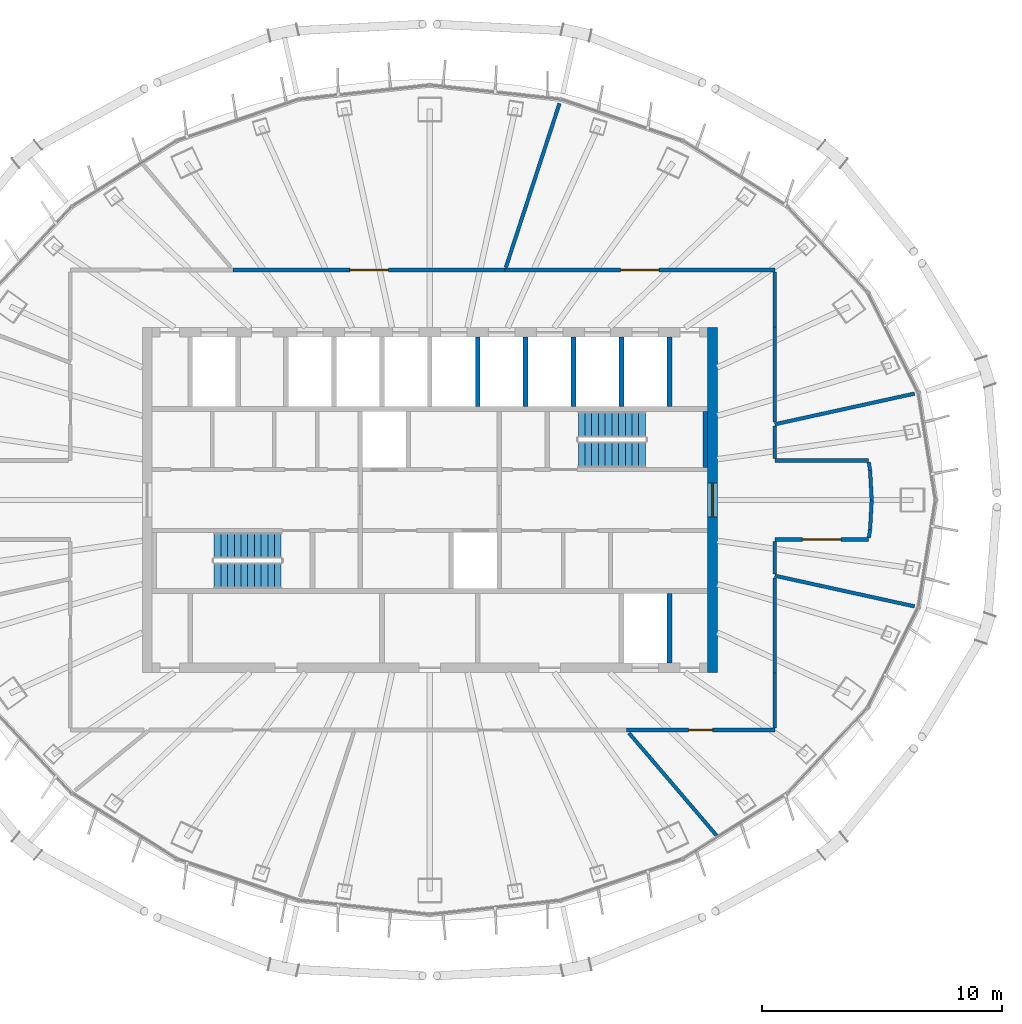
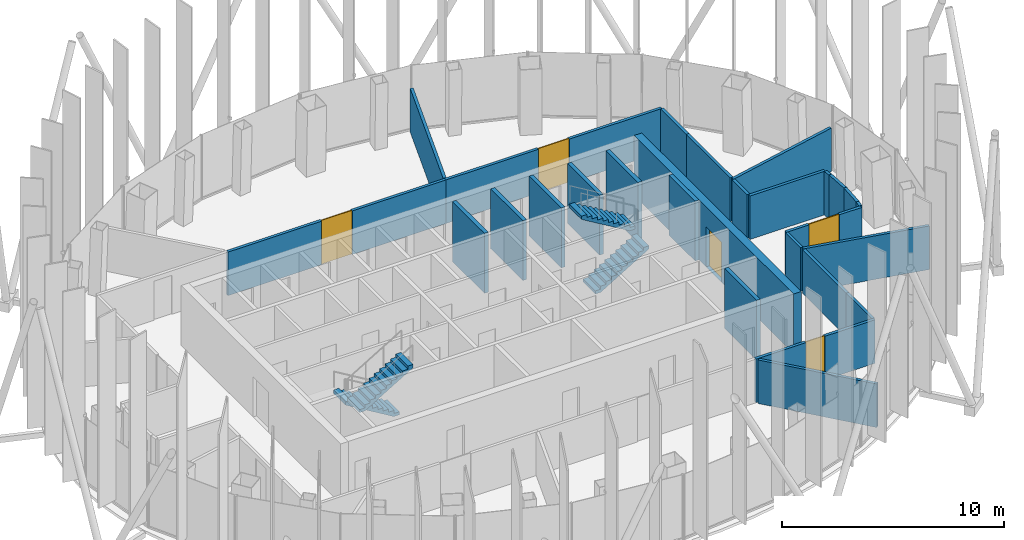
# One storey, part 11 of 19: 27 walls, 5 doors, 4 stair flights, 5 openings, 2 elements without a shape of their own.
"""IFC4 building model written with IfcOpenShell, lengths in metres."""

from ifc_helpers import new_model, si_unit, direction, frame, frame_2d, origin, place, context, subcontext, project, spatial, polyline, rectangle, outline, extrude, material, layer, layer_set, type_object, element, fill, aggregate, save


model = new_model("IFC4")

# Units and contexts
model_context = context("Model", 3, precision=1e-05, world=origin(), true_north=direction((0.0, 1.0)))
body_context = subcontext(model_context, "Body", "Model", "MODEL_VIEW")
ifc_project = project(units=[si_unit("LENGTHUNIT", "METRE"), si_unit("AREAUNIT", "SQUARE_METRE"), si_unit("VOLUMEUNIT", "CUBIC_METRE"), si_unit("PLANEANGLEUNIT", "RADIAN"), si_unit("MASSUNIT", "GRAM", prefix="KILO")], contexts=[model_context])

# Site, building, storey
site_placement = place(None, origin())
site = spatial("IfcSite", under=ifc_project, at=site_placement, CompositionType="ELEMENT")
building_placement = place(site_placement, origin())
building = spatial("IfcBuilding", under=site, at=building_placement, Name="Siaravel Broadcast Tower", CompositionType="ELEMENT")
storey_placement = place(building_placement, frame((0.0, 0.0, 239.300048828125)))
storey = spatial("IfcBuildingStorey", under=building, at=storey_placement, Name="L58", CompositionType="ELEMENT", Elevation=239.300048828125)

# Wall, opening, door
ifc_material_1 = material(Name="Concrete C60/75", Category="concrete")
ifc_layer_1 = layer(ifc_material_1, 0.39990234375)
ifc_layer_set_1 = layer_set([ifc_layer_1], Name="Concrete C60/75")
wall_type_1 = type_object("IfcWallType", Name="Core wall 400", PredefinedType="SHEAR", material=ifc_layer_set_1)
wall_1_placement = place(storey_placement, frame((11.800048828125, -7.199951171875, 0.0), z_axis=(0.0, 0.0, 1.0), x_axis=(0.0, 1.0, 0.0)))
wall_1 = element("IfcWall", 1, at=wall_1_placement, inside=storey, type_object=wall_type_1, Name="L58 core wall OE", PredefinedType="SHEAR", context=body_context, shape_type="SweptSolid", body=[
    extrude(rectangle(XDim=14.39990234375, YDim=0.39990234375, at=frame_2d((7.199951171875, 0.0))), origin(), (0.0, 0.0, 1.0), 3.300048828125),
])
opening_1_placement = place(wall_1_placement, frame((6.5, 0.0, 0.0)))
opening_1 = element("IfcOpeningElement", 2, at=opening_1_placement, cuts=wall_1, Name="Opening L58-DX-E", PredefinedType="OPENING", context=body_context, shape_type="SweptSolid", body=[
    extrude(rectangle(XDim=1.39990234375, YDim=2.199951171875, at=frame_2d((0.699951171875, 1.10009765625))), frame((0.0, 0.2099609375, 0.0), z_axis=(0.0, -1.0, 0.0), x_axis=(1.0, 0.0, 0.0)), (0.0, 0.0, 1.0), 0.419921875),
])
ifc_material_2 = material(Name="Steel", Category="steel")
door_type_1 = type_object("IfcDoorType", Name="Core exit door 1400", OperationType="DOUBLE_DOOR_SINGLE_SWING", PredefinedType="DOOR", material=ifc_material_2)
door_1_placement = place(opening_1_placement, origin())
door_1 = element("IfcDoor", 3, at=door_1_placement, inside=storey, type_object=door_type_1, Name="L58 door DX-E", OperationType="DOUBLE_DOOR_SINGLE_SWING", OverallHeight=2.199951171875, OverallWidth=1.39990234375, PredefinedType="DOOR", context=body_context, shape_type="SweptSolid", body=[
    extrude(rectangle(XDim=1.39990234375, YDim=2.199951171875, at=frame_2d((0.699951171875, 1.10009765625))), frame((0.0, 0.02490234375, 0.0), z_axis=(0.0, -1.0, 0.0), x_axis=(1.0, 0.0, 0.0)), (0.0, 0.0, 1.0), 0.050048828125),
])
fill(opening_1, door_1)

ifc_material_3 = material(Name="Gypsum board partition", Category="gypsum")
ifc_layer_2 = layer(ifc_material_3, 0.14990234375)
ifc_layer_set_2 = layer_set([ifc_layer_2], Name="Gypsum board partition")
wall_type_2 = type_object("IfcWallType", Name="Corridor wall 150", PredefinedType="PARTITIONING", material=ifc_layer_set_2)
wall_2_placement = place(storey_placement, frame((3.140380859375, 9.60009765625, 0.0), z_axis=(0.0, 0.0, 1.0), x_axis=(-1.0, 0.0, 0.0)))
wall_2 = element("IfcWall", 4, at=wall_2_placement, inside=storey, type_object=wall_type_2, Name="L58 partition 2", PredefinedType="PARTITIONING", context=body_context, shape_type="SweptSolid", body=[
    extrude(rectangle(XDim=11.346923828125, YDim=0.14990234375, at=frame_2d((5.67333984375, 0.0))), origin(), (0.0, 0.0, 1.0), 2.39990234375),
])
opening_2_placement = place(wall_2_placement, frame((4.873291015625, 0.0, 0.0)))
opening_2 = element("IfcOpeningElement", 5, at=opening_2_placement, cuts=wall_2, Name="Opening L58-008", PredefinedType="OPENING", context=body_context, shape_type="SweptSolid", body=[
    extrude(rectangle(XDim=1.60009765625, YDim=2.39990234375, at=frame_2d((0.800048828125, 1.199951171875))), frame((0.0, 0.0849609375, 0.0), z_axis=(0.0, -1.0, 0.0), x_axis=(1.0, 0.0, 0.0)), (0.0, 0.0, 1.0), 0.169921875),
])
ifc_material_4 = material(Name="Timber veneer", Category="wood")
door_type_2 = type_object("IfcDoorType", Name="Restaurant double door 1600", OperationType="DOUBLE_DOOR_SINGLE_SWING", PredefinedType="DOOR", material=ifc_material_4)
door_2_placement = place(opening_2_placement, origin())
door_2 = element("IfcDoor", 6, at=door_2_placement, inside=storey, type_object=door_type_2, Name="L58 door to Restaurant", OperationType="DOUBLE_DOOR_SINGLE_SWING", OverallHeight=2.39990234375, OverallWidth=1.60009765625, PredefinedType="DOOR", context=body_context, shape_type="SweptSolid", body=[
    extrude(rectangle(XDim=1.60009765625, YDim=2.39990234375, at=frame_2d((0.800048828125, 1.199951171875))), frame((0.0, 0.02490234375, 0.0), z_axis=(0.0, -1.0, 0.0), x_axis=(1.0, 0.0, 0.0)), (0.0, 0.0, 1.0), 0.050048828125),
])
fill(opening_2, door_2)

wall_3_placement = place(storey_placement, frame((14.39990234375, 9.60009765625, 0.0), z_axis=(0.0, 0.0, 1.0), x_axis=(-1.0, 0.0, 0.0)))
wall_3 = element("IfcWall", 7, at=wall_3_placement, inside=storey, type_object=wall_type_2, Name="L58 partition 3", PredefinedType="PARTITIONING", context=body_context, shape_type="SweptSolid", body=[
    extrude(rectangle(XDim=11.258544921875, YDim=0.14990234375, at=frame_2d((5.62939453125, 0.0))), origin(), (0.0, 0.0, 1.0), 2.39990234375),
])
opening_3_placement = place(wall_3_placement, frame((4.829345703125, 0.0, 0.0)))
opening_3 = element("IfcOpeningElement", 8, at=opening_3_placement, cuts=wall_3, Name="Opening L58-007", PredefinedType="OPENING", context=body_context, shape_type="SweptSolid", body=[
    extrude(rectangle(XDim=1.60009765625, YDim=2.39990234375, at=frame_2d((0.800048828125, 1.199951171875))), frame((0.0, 0.0849609375, 0.0), z_axis=(0.0, -1.0, 0.0), x_axis=(1.0, 0.0, 0.0)), (0.0, 0.0, 1.0), 0.169921875),
])
door_3_placement = place(opening_3_placement, origin())
door_3 = element("IfcDoor", 9, at=door_3_placement, inside=storey, type_object=door_type_2, Name="L58 door to Restaurant", OperationType="DOUBLE_DOOR_SINGLE_SWING", OverallHeight=2.39990234375, OverallWidth=1.60009765625, PredefinedType="DOOR", context=body_context, shape_type="SweptSolid", body=[
    extrude(rectangle(XDim=1.60009765625, YDim=2.39990234375, at=frame_2d((0.800048828125, 1.199951171875))), frame((0.0, 0.02490234375, 0.0), z_axis=(0.0, -1.0, 0.0), x_axis=(1.0, 0.0, 0.0)), (0.0, 0.0, 1.0), 0.050048828125),
])
fill(opening_3, door_3)

wall_4_placement = place(storey_placement, frame((8.20654296875, -9.60009765625, 0.0), z_axis=(0.0, 0.0, 1.0), x_axis=(1.0, 0.0, 0.0)))
wall_4 = element("IfcWall", 10, at=wall_4_placement, inside=storey, type_object=wall_type_2, Name="L58 partition 8", PredefinedType="PARTITIONING", context=body_context, shape_type="SweptSolid", body=[
    extrude(rectangle(XDim=6.193359375, YDim=0.14990234375, at=frame_2d((3.0966796875, 0.0))), origin(), (0.0, 0.0, 1.0), 2.39990234375),
])
opening_4_placement = place(wall_4_placement, frame((2.5966796875, 0.0, 0.0)))
opening_4 = element("IfcOpeningElement", 11, at=opening_4_placement, cuts=wall_4, Name="Opening L58-005", PredefinedType="OPENING", context=body_context, shape_type="SweptSolid", body=[
    extrude(rectangle(XDim=1.0, YDim=2.39990234375, at=frame_2d((0.5, 1.199951171875))), frame((0.0, 0.0849609375, 0.0), z_axis=(0.0, -1.0, 0.0), x_axis=(1.0, 0.0, 0.0)), (0.0, 0.0, 1.0), 0.169921875),
])
door_type_3 = type_object("IfcDoorType", Name="Executive office door 1000", OperationType="SINGLE_SWING_LEFT", PredefinedType="DOOR", material=ifc_material_4)
door_4_placement = place(opening_4_placement, origin())
door_4 = element("IfcDoor", 12, at=door_4_placement, inside=storey, type_object=door_type_3, Name="L58 door to Executive office", OperationType="SINGLE_SWING_LEFT", OverallHeight=2.39990234375, OverallWidth=1.0, PredefinedType="DOOR", context=body_context, shape_type="SweptSolid", body=[
    extrude(rectangle(XDim=1.0, YDim=2.39990234375, at=frame_2d((0.5, 1.199951171875))), frame((0.0, 0.02490234375, 0.0), z_axis=(0.0, -1.0, 0.0), x_axis=(1.0, 0.0, 0.0)), (0.0, 0.0, 1.0), 0.050048828125),
])
fill(opening_4, door_4)

# Walls
for number, where, z_axis, x_axis, name in (
    (13, (14.39990234375, -7.2119140625, 0.0), (0.0, 0.0, 1.0), (0.0, 1.0, 0.0), "L58 partition 16"),
    (14, (14.39990234375, 3.255859375, 0.0), (0.0, 0.0, 1.0), (0.0, 1.0, 0.0), "L58 partition 17"),
):
    element("IfcWall", number, at=place(storey_placement, frame(where, z_axis=z_axis, x_axis=x_axis)), inside=storey, type_object=wall_type_2, Name=name, PredefinedType="PARTITIONING", context=body_context, shape_type="SweptSolid", body=[
        extrude(rectangle(XDim=3.9560546875, YDim=0.14990234375, at=frame_2d((1.97802734375, 0.0))), origin(), (0.0, 0.0, 1.0), 2.39990234375),
    ])

# Wall, opening, door
wall_5_placement = place(storey_placement, frame((14.39990234375, -1.64990234375, 0.0), z_axis=(0.0, 0.0, 1.0), x_axis=(1.0, 0.0, 0.0)))
wall_5 = element("IfcWall", 15, at=wall_5_placement, inside=storey, type_object=wall_type_2, Name="L58 partition 20", PredefinedType="PARTITIONING", context=body_context, shape_type="SweptSolid", body=[
    extrude(rectangle(XDim=3.910888671875, YDim=0.14990234375, at=frame_2d((1.95556640625, 0.0))), origin(), (0.0, 0.0, 1.0), 2.39990234375),
])
opening_5_placement = place(wall_5_placement, frame((1.155517578125, 0.0, 0.0)))
opening_5 = element("IfcOpeningElement", 16, at=opening_5_placement, cuts=wall_5, Name="Opening L58-006", PredefinedType="OPENING", context=body_context, shape_type="SweptSolid", body=[
    extrude(rectangle(XDim=1.60009765625, YDim=2.39990234375, at=frame_2d((0.800048828125, 1.199951171875))), frame((0.0, 0.0849609375, 0.0), z_axis=(0.0, -1.0, 0.0), x_axis=(1.0, 0.0, 0.0)), (0.0, 0.0, 1.0), 0.169921875),
])
door_5_placement = place(opening_5_placement, origin())
door_5 = element("IfcDoor", 17, at=door_5_placement, inside=storey, type_object=door_type_2, Name="L58 door to Lounge", OperationType="DOUBLE_DOOR_SINGLE_SWING", OverallHeight=2.39990234375, OverallWidth=1.60009765625, PredefinedType="DOOR", context=body_context, shape_type="SweptSolid", body=[
    extrude(rectangle(XDim=1.60009765625, YDim=2.39990234375, at=frame_2d((0.800048828125, 1.199951171875))), frame((0.0, 0.02490234375, 0.0), z_axis=(0.0, -1.0, 0.0), x_axis=(1.0, 0.0, 0.0)), (0.0, 0.0, 1.0), 0.050048828125),
])
fill(opening_5, door_5)

# Walls
wall_6_placement = place(storey_placement, frame((18.310791015625, 1.64990234375, 0.0), z_axis=(0.0, 0.0, 1.0), x_axis=(-1.0, 0.0, 0.0)))
element("IfcWall", 18, at=wall_6_placement, inside=storey, type_object=wall_type_2, Name="L58 partition 21", PredefinedType="PARTITIONING", context=body_context, shape_type="SweptSolid", body=[
    extrude(rectangle(XDim=3.910888671875, YDim=0.14990234375, at=frame_2d((1.95556640625, 0.0))), origin(), (0.0, 0.0, 1.0), 2.39990234375),
])
for number, where, z_axis, x_axis, name in (
    (19, (14.39990234375, -9.52294921875, 0.0), (0.0, 0.0, 1.0), (0.0, 1.0, 0.0), "L58 partition 27"),
    (20, (14.39990234375, 7.212890625, 0.0), (0.0, 0.0, 1.0), (0.0, 1.0, 0.0), "L58 partition 28"),
):
    element("IfcWall", number, at=place(storey_placement, frame(where, z_axis=z_axis, x_axis=x_axis)), inside=storey, type_object=wall_type_2, Name=name, PredefinedType="PARTITIONING", context=body_context, shape_type="SweptSolid", body=[
        extrude(rectangle(XDim=2.31005859375, YDim=0.14990234375, at=frame_2d((1.155029296875, 0.0))), origin(), (0.0, 0.0, 1.0), 2.39990234375),
    ])
for number, where, z_axis, x_axis, name in (
    (21, (14.39990234375, -3.085205078125, 0.0), (0.0, 0.0, 1.0), (0.0, 1.0, 0.0), "L58 partition 30"),
    (22, (14.39990234375, 1.72705078125, 0.0), (0.0, 0.0, 1.0), (0.0, 1.0, 0.0), "L58 partition 31"),
):
    element("IfcWall", number, at=place(storey_placement, frame(where, z_axis=z_axis, x_axis=x_axis)), inside=storey, type_object=wall_type_2, Name=name, PredefinedType="PARTITIONING", context=body_context, shape_type="SweptSolid", body=[
        extrude(rectangle(XDim=1.358154296875, YDim=0.14990234375, at=frame_2d((0.67919921875, 0.0))), origin(), (0.0, 0.0, 1.0), 2.39990234375),
    ])
wall_7_placement = place(storey_placement, frame((18.37890625, -1.2255859375, 0.0), z_axis=(0.0, 0.0, 1.0), x_axis=(0.053310538, 0.998577982, 0.0)))
element("IfcWall", 23, at=wall_7_placement, inside=storey, type_object=wall_type_2, Name="L58 partition 35", PredefinedType="PARTITIONING", context=body_context, shape_type="SweptSolid", body=[
    extrude(rectangle(XDim=1.227294921875, YDim=0.14990234375, at=frame_2d((0.61376953125, 0.0))), origin(), (0.0, 0.0, 1.0), 2.39990234375),
])
wall_8_placement = place(storey_placement, frame((18.443603515625, 0.010009765625, 0.0), z_axis=(0.0, 0.0, 1.0), x_axis=(-0.053148314, 0.99858663, 0.0)))
element("IfcWall", 24, at=wall_8_placement, inside=storey, type_object=wall_type_2, Name="L58 partition 36", PredefinedType="PARTITIONING", context=body_context, shape_type="SweptSolid", body=[
    extrude(rectangle(XDim=1.21728515625, YDim=0.14990234375, at=frame_2d((0.608642578125, 0.0))), origin(), (0.0, 0.0, 1.0), 2.39990234375),
])
for number, where, z_axis, x_axis, name in (
    (25, (18.32275390625, -1.574951171875, 0.0), (0.0, 0.0, 1.0), (0.158406053, 0.987374054, 0.0), "L58 partition 39"),
    (26, (18.377197265625, 1.235595703125, 0.0), (0.0, 0.0, 1.0), (-0.158406053, 0.987374054, 0.0), "L58 partition 40"),
):
    element("IfcWall", number, at=place(storey_placement, frame(where, z_axis=z_axis, x_axis=x_axis)), inside=storey, type_object=wall_type_2, Name=name, PredefinedType="PARTITIONING", context=body_context, shape_type="SweptSolid", body=[
        extrude(rectangle(XDim=0.34375, YDim=0.14990234375, at=frame_2d((0.171875, 0.0))), origin(), (0.0, 0.0, 1.0), 2.39990234375),
    ])
ifc_layer_3 = layer(ifc_material_3, 0.14990234375)
ifc_layer_set_3 = layer_set([ifc_layer_3], Name="Gypsum board partition")
wall_type_3 = type_object("IfcWallType", Name="Room partition 150", PredefinedType="PARTITIONING", material=ifc_layer_set_3)
wall_9_placement = place(storey_placement, frame((5.4150390625, 16.553955078125, 0.0), z_axis=(0.0, 0.0, 1.0), x_axis=(-0.31090061, -0.950442429, 0.0)))
element("IfcWall", 27, at=wall_9_placement, inside=storey, type_object=wall_type_3, Name="L58 partition 6", PredefinedType="PARTITIONING", context=body_context, shape_type="SweptSolid", body=[
    extrude(rectangle(XDim=7.211181640625, YDim=0.14990234375, at=frame_2d((3.60546875, 0.0))), origin(), (0.0, 0.0, 1.0), 2.39990234375),
])
wall_10_placement = place(storey_placement, frame((20.23291015625, -4.440673828125, 0.0), z_axis=(0.0, 0.0, 1.0), x_axis=(-0.976749355, 0.214384464, 0.0)))
element("IfcWall", 28, at=wall_10_placement, inside=storey, type_object=wall_type_3, Name="L58 partition 9", PredefinedType="PARTITIONING", context=body_context, shape_type="SweptSolid", body=[
    extrude(rectangle(XDim=5.971923828125, YDim=0.14990234375, at=frame_2d((2.98583984375, 0.0))), origin(), (0.0, 0.0, 1.0), 2.39990234375),
])
wall_11_placement = place(storey_placement, frame((20.2314453125, 4.4404296875, 0.0), z_axis=(0.0, 0.0, 1.0), x_axis=(-0.976746641, -0.214396828, 0.0)))
element("IfcWall", 29, at=wall_11_placement, inside=storey, type_object=wall_type_3, Name="L58 partition 10", PredefinedType="PARTITIONING", context=body_context, shape_type="SweptSolid", body=[
    extrude(rectangle(XDim=5.970458984375, YDim=0.14990234375, at=frame_2d((2.9853515625, 0.0))), origin(), (0.0, 0.0, 1.0), 2.39990234375),
])
wall_12_placement = place(storey_placement, frame((12.005126953125, -14.0439453125, 0.0), z_axis=(0.0, 0.0, 1.0), x_axis=(-0.649775142, 0.760126479, 0.0)))
element("IfcWall", 30, at=wall_12_placement, inside=storey, type_object=wall_type_3, Name="L58 partition 12", PredefinedType="PARTITIONING", context=body_context, shape_type="SweptSolid", body=[
    extrude(rectangle(XDim=5.681396484375, YDim=0.14990234375, at=frame_2d((2.8408203125, 0.0))), origin(), (0.0, 0.0, 1.0), 2.39990234375),
])
ifc_layer_4 = layer(ifc_material_1, 0.199951171875)
ifc_layer_set_4 = layer_set([ifc_layer_4], Name="Concrete C60/75")
wall_type_4 = type_object("IfcWallType", Name="Shaft wall 200", PredefinedType="SHEAR", material=ifc_layer_set_4)
for number, where, z_axis, x_axis, name in (
    (31, (10.0, -6.800048828125, 0.0), (0.0, 0.0, 1.0), (0.0, 1.0, 0.0), "L58 core wall SWS10"),
    (32, (2.0, 3.89990234375, 0.0), (0.0, 0.0, 1.0), (0.0, 1.0, 0.0), "L58 core wall SWN6"),
    (33, (4.0, 3.89990234375, 0.0), (0.0, 0.0, 1.0), (0.0, 1.0, 0.0), "L58 core wall SWN7"),
    (34, (6.0, 3.89990234375, 0.0), (0.0, 0.0, 1.0), (0.0, 1.0, 0.0), "L58 core wall SWN8"),
    (35, (8.0, 3.89990234375, 0.0), (0.0, 0.0, 1.0), (0.0, 1.0, 0.0), "L58 core wall SWN9"),
    (36, (10.0, 3.89990234375, 0.0), (0.0, 0.0, 1.0), (0.0, 1.0, 0.0), "L58 core wall SWN10"),
):
    element("IfcWall", number, at=place(storey_placement, frame(where, z_axis=z_axis, x_axis=x_axis)), inside=storey, type_object=wall_type_4, Name=name, PredefinedType="SHEAR", context=body_context, shape_type="SweptSolid", body=[
        extrude(rectangle(XDim=2.900146484375, YDim=0.199951171875, at=frame_2d((1.4501953125, 0.0))), origin(), (0.0, 0.0, 1.0), 3.300048828125),
    ])
wall_13_placement = place(storey_placement, frame((11.5, 1.35009765625, 0.0), z_axis=(0.0, 0.0, 1.0), x_axis=(0.0, 1.0, 0.0)))
element("IfcWall", 37, at=wall_13_placement, inside=storey, type_object=wall_type_4, Name="L58 core wall ST2E", PredefinedType="SHEAR", context=body_context, shape_type="SweptSolid", body=[
    extrude(rectangle(XDim=2.349853515625, YDim=0.199951171875, at=frame_2d((1.1748046875, 0.0))), origin(), (0.0, 0.0, 1.0), 3.300048828125),
])

# Stair, stair flights
ifc_material_5 = material(Name="Concrete C40/50", Category="concrete")
stair_type = type_object("IfcStairType", Name="Core exit stair", PredefinedType="HALF_TURN_STAIR", material=ifc_material_5)
stair_1_placement = place(storey_placement, origin())
stair_1 = element("IfcStair", 38, at=stair_1_placement, inside=storey, type_object=stair_type, Name="L58 Exit stair ST-1", PredefinedType="HALF_TURN_STAIR")
stair_flight_type = type_object("IfcStairFlightType", Name="Stair flight 1100", PredefinedType="STRAIGHT", material=ifc_material_5)
stair_flight_1_placement = place(storey_placement, frame((-6.199951171875, -1.89990234375, 0.0), z_axis=(0.0, 0.0, 1.0), x_axis=(-1.0, 0.0, 0.0)))
stair_flight_1 = element("IfcStairFlight", 39, at=stair_flight_1_placement, type_object=stair_flight_type, Name="ST-1 flight 1", NumberOfRisers=11, NumberOfTreads=10, PredefinedType="STRAIGHT", RiserHeight=0.1681818, TreadLength=0.28, context=body_context, shape_type="SweptSolid", body=[
    extrude(outline(polyline([(0.0, 0.0), (0.0, 0.168212890625), (0.280029296875, 0.168212890625), (0.280029296875, 0.33642578125), (0.56005859375, 0.33642578125), (0.56005859375, 0.504638671875), (0.840087890625, 0.504638671875), (0.840087890625, 0.672607421875), (1.1201171875, 0.672607421875), (1.1201171875, 0.8408203125), (1.39990234375, 0.8408203125), (1.39990234375, 1.009033203125), (1.679931640625, 1.009033203125), (1.679931640625, 1.17724609375), (1.9599609375, 1.17724609375), (1.9599609375, 1.345458984375), (2.239990234375, 1.345458984375), (2.239990234375, 1.513671875), (2.52001953125, 1.513671875), (2.52001953125, 1.681884765625), (2.800048828125, 1.681884765625), (2.800048828125, 1.85009765625), (2.800048828125, 1.5068359375), (0.291015625, 0.0), (0.0, 0.0)])), frame((0.0, 0.550048828125, 0.0), z_axis=(0.0, -1.0, 0.0), x_axis=(1.0, 0.0, 0.0)), (0.0, 0.0, 1.0), 1.10009765625),
])
stair_flight_2_placement = place(storey_placement, frame((-9.0, -3.14990234375, 1.849853515625), z_axis=(0.0, 0.0, 1.0), x_axis=(1.0, 0.0, 0.0)))
stair_flight_2 = element("IfcStairFlight", 40, at=stair_flight_2_placement, type_object=stair_flight_type, Name="ST-1 flight 2", NumberOfRisers=11, NumberOfTreads=10, PredefinedType="STRAIGHT", RiserHeight=0.1681818, TreadLength=0.28, context=body_context, shape_type="SweptSolid", body=[
    extrude(outline(polyline([(0.0, 0.0), (0.0, 0.168212890625), (0.280029296875, 0.168212890625), (0.280029296875, 0.33642578125), (0.56005859375, 0.33642578125), (0.56005859375, 0.504638671875), (0.840087890625, 0.504638671875), (0.840087890625, 0.672607421875), (1.1201171875, 0.672607421875), (1.1201171875, 0.8408203125), (1.39990234375, 0.8408203125), (1.39990234375, 1.009033203125), (1.679931640625, 1.009033203125), (1.679931640625, 1.17724609375), (1.9599609375, 1.17724609375), (1.9599609375, 1.345458984375), (2.239990234375, 1.345458984375), (2.239990234375, 1.513671875), (2.52001953125, 1.513671875), (2.52001953125, 1.681884765625), (2.800048828125, 1.681884765625), (2.800048828125, 1.85009765625), (2.800048828125, 1.5068359375), (0.291015625, 0.0), (0.0, 0.0)])), frame((0.0, 0.550048828125, 0.0), z_axis=(0.0, -1.0, 0.0), x_axis=(1.0, 0.0, 0.0)), (0.0, 0.0, 1.0), 1.10009765625),
])
aggregate(stair_1, [stair_flight_1, stair_flight_2])

stair_2_placement = place(storey_placement, origin())
stair_2 = element("IfcStair", 41, at=stair_2_placement, inside=storey, type_object=stair_type, Name="L58 Exit stair ST-2", PredefinedType="HALF_TURN_STAIR")
stair_flight_3_placement = place(storey_placement, frame((6.199951171875, 1.89990234375, 0.0), z_axis=(0.0, 0.0, 1.0), x_axis=(1.0, 0.0, 0.0)))
stair_flight_3 = element("IfcStairFlight", 42, at=stair_flight_3_placement, type_object=stair_flight_type, Name="ST-2 flight 1", NumberOfRisers=11, NumberOfTreads=10, PredefinedType="STRAIGHT", RiserHeight=0.1681818, TreadLength=0.28, context=body_context, shape_type="SweptSolid", body=[
    extrude(outline(polyline([(0.0, 0.0), (0.0, 0.168212890625), (0.280029296875, 0.168212890625), (0.280029296875, 0.33642578125), (0.56005859375, 0.33642578125), (0.56005859375, 0.504638671875), (0.840087890625, 0.504638671875), (0.840087890625, 0.672607421875), (1.1201171875, 0.672607421875), (1.1201171875, 0.8408203125), (1.39990234375, 0.8408203125), (1.39990234375, 1.009033203125), (1.679931640625, 1.009033203125), (1.679931640625, 1.17724609375), (1.9599609375, 1.17724609375), (1.9599609375, 1.345458984375), (2.239990234375, 1.345458984375), (2.239990234375, 1.513671875), (2.52001953125, 1.513671875), (2.52001953125, 1.681884765625), (2.800048828125, 1.681884765625), (2.800048828125, 1.85009765625), (2.800048828125, 1.5068359375), (0.291015625, 0.0), (0.0, 0.0)])), frame((0.0, 0.550048828125, 0.0), z_axis=(0.0, -1.0, 0.0), x_axis=(1.0, 0.0, 0.0)), (0.0, 0.0, 1.0), 1.10009765625),
])
stair_flight_4_placement = place(storey_placement, frame((9.0, 3.14990234375, 1.849853515625), z_axis=(0.0, 0.0, 1.0), x_axis=(-1.0, 0.0, 0.0)))
stair_flight_4 = element("IfcStairFlight", 43, at=stair_flight_4_placement, type_object=stair_flight_type, Name="ST-2 flight 2", NumberOfRisers=11, NumberOfTreads=10, PredefinedType="STRAIGHT", RiserHeight=0.1681818, TreadLength=0.28, context=body_context, shape_type="SweptSolid", body=[
    extrude(outline(polyline([(0.0, 0.0), (0.0, 0.168212890625), (0.280029296875, 0.168212890625), (0.280029296875, 0.33642578125), (0.56005859375, 0.33642578125), (0.56005859375, 0.504638671875), (0.840087890625, 0.504638671875), (0.840087890625, 0.672607421875), (1.1201171875, 0.672607421875), (1.1201171875, 0.8408203125), (1.39990234375, 0.8408203125), (1.39990234375, 1.009033203125), (1.679931640625, 1.009033203125), (1.679931640625, 1.17724609375), (1.9599609375, 1.17724609375), (1.9599609375, 1.345458984375), (2.239990234375, 1.345458984375), (2.239990234375, 1.513671875), (2.52001953125, 1.513671875), (2.52001953125, 1.681884765625), (2.800048828125, 1.681884765625), (2.800048828125, 1.85009765625), (2.800048828125, 1.5068359375), (0.291015625, 0.0), (0.0, 0.0)])), frame((0.0, 0.550048828125, 0.0), z_axis=(0.0, -1.0, 0.0), x_axis=(1.0, 0.0, 0.0)), (0.0, 0.0, 1.0), 1.10009765625),
])
aggregate(stair_2, [stair_flight_3, stair_flight_4])

save(model, "model.ifc")
